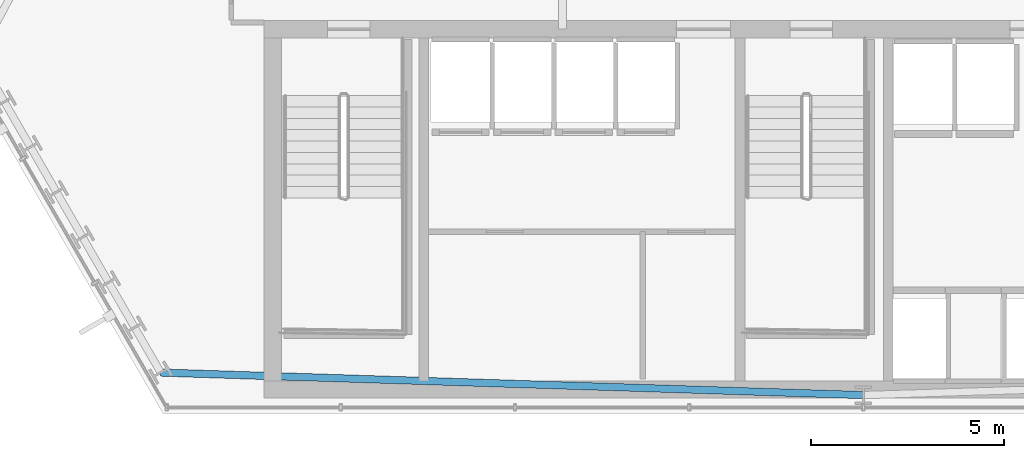
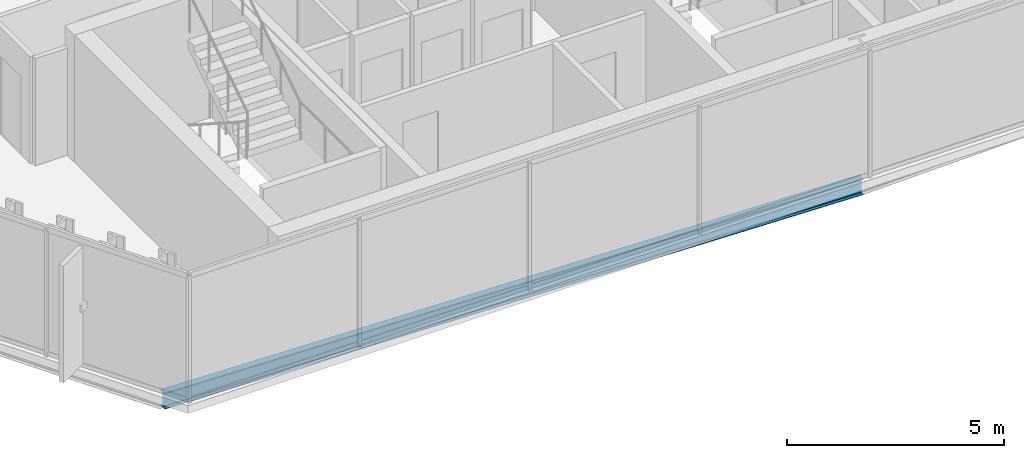
# One storey, part 3 of 33: 1 beam.
"""IFC4 building model written with IfcOpenShell, lengths in metres."""

from ifc_helpers import new_model, si_unit, direction, frame, origin, origin_2d, place, context, subcontext, project, spatial, i_section, extrude, material, material_profile, profile_set, type_object, element, save


model = new_model("IFC4")

# Units and contexts
model_context = context("Model", 3, precision=1e-05, world=origin(), true_north=direction((0.0, 1.0)))
body_context = subcontext(model_context, "Body", "Model", "MODEL_VIEW")
ifc_project = project(units=[si_unit("LENGTHUNIT", "METRE"), si_unit("AREAUNIT", "SQUARE_METRE"), si_unit("VOLUMEUNIT", "CUBIC_METRE"), si_unit("PLANEANGLEUNIT", "RADIAN"), si_unit("MASSUNIT", "GRAM", prefix="KILO")], contexts=[model_context])

# Site, building, storey
site_placement = place(None, origin())
site = spatial("IfcSite", under=ifc_project, at=site_placement, CompositionType="ELEMENT")
building_placement = place(site_placement, origin())
building = spatial("IfcBuilding", under=site, at=building_placement, Name="Ndaravel Arena Tower", CompositionType="ELEMENT")
storey_placement = place(building_placement, frame((0.0, 0.0, 149.800048828125)))
storey = spatial("IfcBuildingStorey", under=building, at=storey_placement, Name="L35", CompositionType="ELEMENT", Elevation=149.800048828125)

# Beam
ifc_material = material(Name="Steel S355", Category="steel")
ifc_material_profile = material_profile(ifc_material, i_section(OverallWidth=0.18994140625, OverallDepth=0.449951171875, WebThickness=0.009521484375, FlangeThickness=0.0146484375, FilletRadius=0.02099609375, at=origin_2d()), Name="IPE 450")
ifc_profile_set = profile_set([ifc_material_profile], Name="Steel S355")
beam_type = type_object("IfcBeamType", Name="BM-SPAN-IPE450", PredefinedType="SPANDREL", material=ifc_profile_set)
beam_placement = place(storey_placement, frame((23.77099609375, 6.065185546875, -0.445068359375), z_axis=(0.999485097772, -0.032086435317, 0.0), x_axis=(0.032086435317, 0.999485097772, 0.0)))
element("IfcBeam", 1, at=beam_placement, inside=storey, type_object=beam_type, Name="L35 Perimeter Spandrel Beam SP-27", PredefinedType="SPANDREL", context=body_context, shape_type="SweptSolid", body=[
    extrude(i_section(OverallWidth=0.18994140625, OverallDepth=0.449951171875, WebThickness=0.009521484375, FlangeThickness=0.0146484375, FilletRadius=0.02099609375, at=origin_2d()), origin(), (0.0, 0.0, 1.0), 18.23828125),
])

save(model, "model.ifc")
